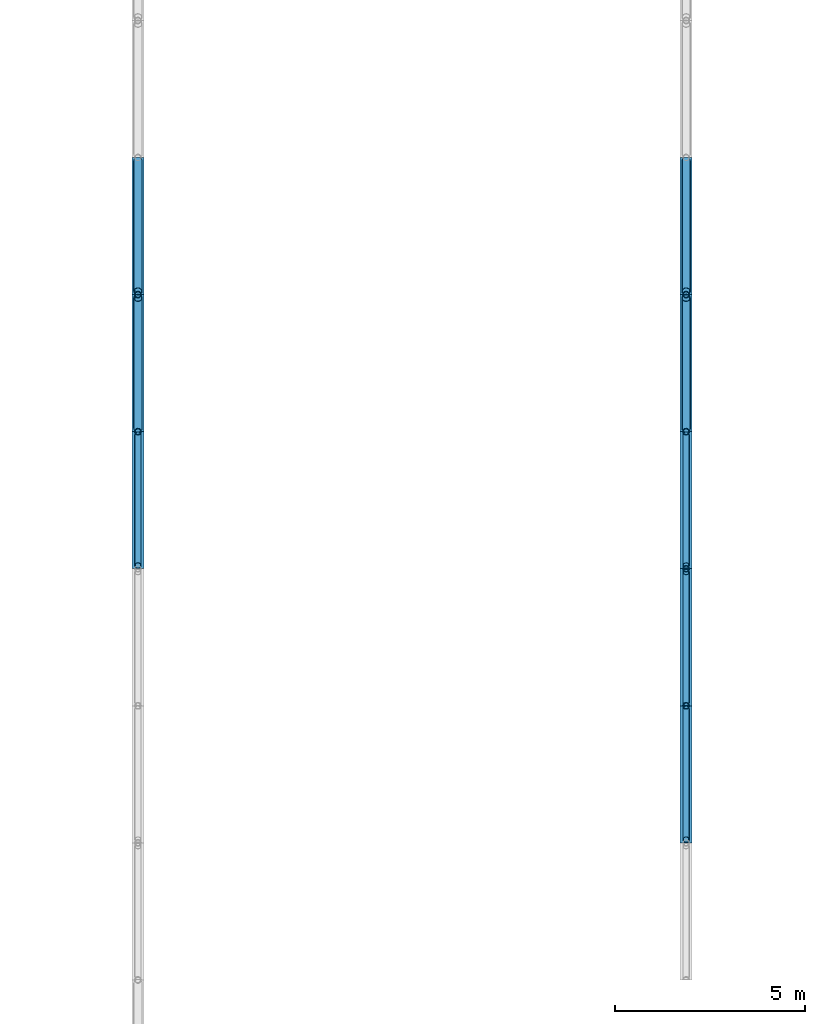
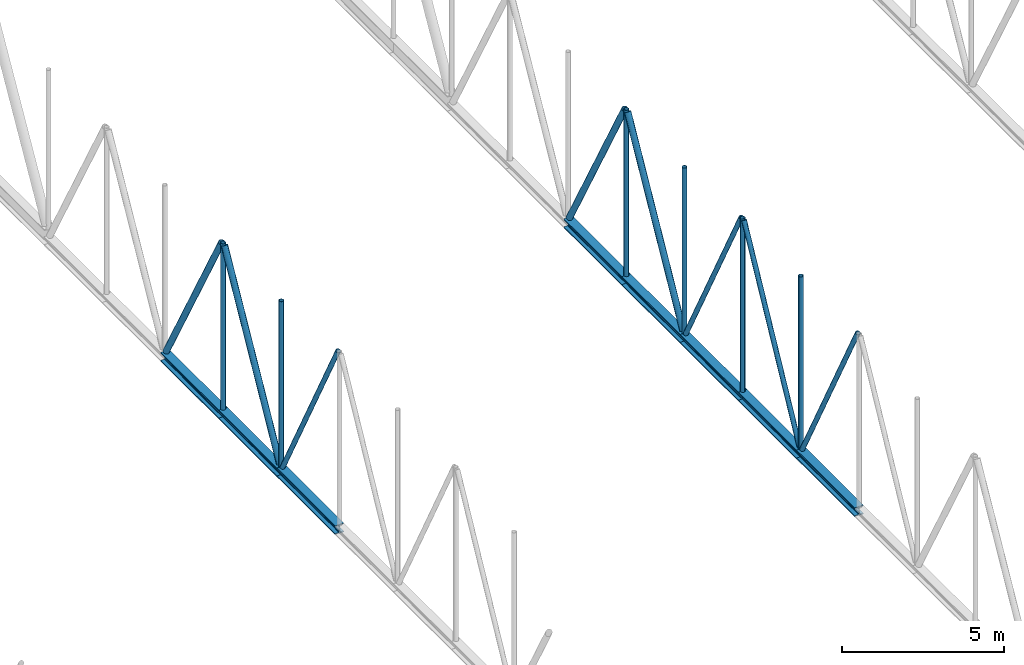
# One storey, part 61 of 142: 22 members.
"""IFC4 building model written with IfcOpenShell, lengths in metres."""

from ifc_helpers import new_model, si_unit, direction, frame, origin, origin_2d, place, context, subcontext, project, spatial, hollow_circle, i_section, extrude, material, material_profile, profile_set, type_object, element, save


model = new_model("IFC4")

# Units and contexts
model_context = context("Model", 3, precision=1e-05, world=origin(), true_north=direction((0.0, 1.0)))
body_context = subcontext(model_context, "Body", "Model", "MODEL_VIEW")
ifc_project = project(units=[si_unit("LENGTHUNIT", "METRE"), si_unit("AREAUNIT", "SQUARE_METRE"), si_unit("VOLUMEUNIT", "CUBIC_METRE"), si_unit("PLANEANGLEUNIT", "RADIAN"), si_unit("MASSUNIT", "GRAM", prefix="KILO")], contexts=[model_context])

# Site, building, storey
site_placement = place(None, origin())
site = spatial("IfcSite", under=ifc_project, at=site_placement, CompositionType="ELEMENT")
building_placement = place(site_placement, origin())
building = spatial("IfcBuilding", under=site, at=building_placement, Name="Kupolbacken Congress Centre", CompositionType="ELEMENT")
storey_placement = place(building_placement, frame((0.0, 0.0, 14.39990234375)))
storey = spatial("IfcBuildingStorey", under=building, at=storey_placement, Name="L04", CompositionType="ELEMENT", Elevation=14.39990234375)

# Members
ifc_material_1 = material(Name="Steel S355", Category="steel")
ifc_material_profile_1 = material_profile(ifc_material_1, i_section(OverallWidth=0.31005859375, OverallDepth=0.340087890625, WebThickness=0.02099609375, FlangeThickness=0.0390625, FilletRadius=0.027099609375, at=origin_2d()), Name="HEM 300")
ifc_profile_set_1 = profile_set([ifc_material_profile_1], Name="Steel S355")
member_type_1 = type_object("IfcMemberType", Name="M01 transfer truss chord HEM 300", PredefinedType="CHORD", material=ifc_profile_set_1)
member_1_placement = place(storey_placement, frame((151.199951171875, 82.800048828125, 0.16015625), z_axis=(0.0, 1.0, 0.0), x_axis=(-1.0, 0.0, 0.0)))
element("IfcMember", 1, at=member_1_placement, inside=storey, type_object=member_type_1, Name="HT/T5/BC12", PredefinedType="CHORD", context=body_context, shape_type="SweptSolid", body=[
    extrude(i_section(OverallWidth=0.31005859375, OverallDepth=0.340087890625, WebThickness=0.02099609375, FlangeThickness=0.0390625, FilletRadius=0.027099609375, at=origin_2d()), origin(), (0.0, 0.0, 1.0), 3.599853515625),
])
for number, where, z_axis, x_axis, name in (
    (2, (151.199951171875, 86.39990234375, 0.16015625), (0.0, 1.0, 0.0), (-1.0, 0.0, 0.0), "HT/T5/BC13"),
    (3, (151.199951171875, 90.0, 0.16015625), (0.0, 1.0, 0.0), (-1.0, 0.0, 0.0), "HT/T5/BC14"),
):
    element("IfcMember", number, at=place(storey_placement, frame(where, z_axis=z_axis, x_axis=x_axis)), inside=storey, type_object=member_type_1, Name=name, PredefinedType="CHORD", context=body_context, shape_type="SweptSolid", body=[
        extrude(i_section(OverallWidth=0.31005859375, OverallDepth=0.340087890625, WebThickness=0.02099609375, FlangeThickness=0.0390625, FilletRadius=0.027099609375, at=origin_2d()), origin(), (0.0, 0.0, 1.0), 3.60009765625),
    ])
member_2_placement = place(storey_placement, frame((165.60009765625, 75.60009765625, 0.16015625), z_axis=(0.0, 1.0, 0.0), x_axis=(-1.0, 0.0, 0.0)))
element("IfcMember", 4, at=member_2_placement, inside=storey, type_object=member_type_1, Name="HT/T6/BC10", PredefinedType="CHORD", context=body_context, shape_type="SweptSolid", body=[
    extrude(i_section(OverallWidth=0.31005859375, OverallDepth=0.340087890625, WebThickness=0.02099609375, FlangeThickness=0.0390625, FilletRadius=0.027099609375, at=origin_2d()), origin(), (0.0, 0.0, 1.0), 3.599853515625),
])
member_3_placement = place(storey_placement, frame((165.60009765625, 79.199951171875, 0.16015625), z_axis=(0.0, 1.0, 0.0), x_axis=(-1.0, 0.0, 0.0)))
element("IfcMember", 5, at=member_3_placement, inside=storey, type_object=member_type_1, Name="HT/T6/BC11", PredefinedType="CHORD", context=body_context, shape_type="SweptSolid", body=[
    extrude(i_section(OverallWidth=0.31005859375, OverallDepth=0.340087890625, WebThickness=0.02099609375, FlangeThickness=0.0390625, FilletRadius=0.027099609375, at=origin_2d()), origin(), (0.0, 0.0, 1.0), 3.60009765625),
])
member_4_placement = place(storey_placement, frame((165.60009765625, 82.800048828125, 0.16015625), z_axis=(0.0, 1.0, 0.0), x_axis=(-1.0, 0.0, 0.0)))
element("IfcMember", 6, at=member_4_placement, inside=storey, type_object=member_type_1, Name="HT/T6/BC12", PredefinedType="CHORD", context=body_context, shape_type="SweptSolid", body=[
    extrude(i_section(OverallWidth=0.31005859375, OverallDepth=0.340087890625, WebThickness=0.02099609375, FlangeThickness=0.0390625, FilletRadius=0.027099609375, at=origin_2d()), origin(), (0.0, 0.0, 1.0), 3.599853515625),
])
for number, where, z_axis, x_axis, name in (
    (7, (165.60009765625, 86.39990234375, 0.16015625), (0.0, 1.0, 0.0), (-1.0, 0.0, 0.0), "HT/T6/BC13"),
    (8, (165.60009765625, 90.0, 0.16015625), (0.0, 1.0, 0.0), (-1.0, 0.0, 0.0), "HT/T6/BC14"),
):
    element("IfcMember", number, at=place(storey_placement, frame(where, z_axis=z_axis, x_axis=x_axis)), inside=storey, type_object=member_type_1, Name=name, PredefinedType="CHORD", context=body_context, shape_type="SweptSolid", body=[
        extrude(i_section(OverallWidth=0.31005859375, OverallDepth=0.340087890625, WebThickness=0.02099609375, FlangeThickness=0.0390625, FilletRadius=0.027099609375, at=origin_2d()), origin(), (0.0, 0.0, 1.0), 3.60009765625),
    ])
ifc_material_2 = material(Name="Steel S355", Category="steel")
ifc_material_profile_2 = material_profile(ifc_material_2, hollow_circle(Radius=0.109619140625, WallThickness=0.010009765625, at=origin_2d()), Name="CHS 219.1 x 10")
ifc_profile_set_2 = profile_set([ifc_material_profile_2], Name="Steel S355")
member_type_2 = type_object("IfcMemberType", Name="M05 transfer truss web CHS 219.1 x 10", PredefinedType="BRACE", material=ifc_profile_set_2)
for number, where, z_axis, x_axis, name in (
    (9, (151.199951171875, 86.484130859375, 0.372802734375), (0.0, 0.48517101949, 0.874419282637), (-1.0, 0.0, 0.0), "HT/T5/D13"),
    (10, (151.199951171875, 90.084228515625, 6.5576171875), (0.0, 0.48517101949, -0.874419282637), (-1.0, 0.0, 0.0), "HT/T5/D14"),
    (11, (165.60009765625, 86.484130859375, 0.372802734375), (0.0, 0.48517101949, 0.874419282637), (-1.0, 0.0, 0.0), "HT/T6/D13"),
    (12, (165.60009765625, 90.084228515625, 6.5576171875), (0.0, 0.48517101949, -0.874419282637), (-1.0, 0.0, 0.0), "HT/T6/D14"),
):
    element("IfcMember", number, at=place(storey_placement, frame(where, z_axis=z_axis, x_axis=x_axis)), inside=storey, type_object=member_type_2, Name=name, PredefinedType="BRACE", context=body_context, shape_type="SweptSolid", body=[
        extrude(hollow_circle(Radius=0.109619140625, WallThickness=0.010009765625, at=origin_2d()), origin(), (0.0, 0.0, 1.0), 7.072998046875),
    ])
ifc_material_3 = material(Name="Steel S355", Category="steel")
ifc_material_profile_3 = material_profile(ifc_material_3, hollow_circle(Radius=0.084228515625, WallThickness=0.008056640625, at=origin_2d()), Name="CHS 168.3 x 8")
ifc_profile_set_3 = profile_set([ifc_material_profile_3], Name="Steel S355")
member_type_3 = type_object("IfcMemberType", Name="M06 transfer truss web CHS 168.3 x 8", PredefinedType="BRACE", material=ifc_profile_set_3)
for number, where, z_axis, x_axis, name in (
    (13, (151.199951171875, 82.884033203125, 6.8310546875), (0.0, 0.468481741227, -0.88347317907), (-1.0, 0.0, 0.0), "HT/T5/D12"),
    (14, (165.60009765625, 75.68408203125, 6.8310546875), (0.0, 0.468481741227, -0.88347317907), (-1.0, 0.0, 0.0), "HT/T6/D10"),
    (15, (165.60009765625, 79.2841796875, 0.359130859375), (0.0, 0.468455727838, 0.883486972771), (-1.0, 0.0, 0.0), "HT/T6/D11"),
    (16, (165.60009765625, 82.884033203125, 6.8310546875), (0.0, 0.468481741227, -0.88347317907), (-1.0, 0.0, 0.0), "HT/T6/D12"),
):
    element("IfcMember", number, at=place(storey_placement, frame(where, z_axis=z_axis, x_axis=x_axis)), inside=storey, type_object=member_type_3, Name=name, PredefinedType="BRACE", context=body_context, shape_type="SweptSolid", body=[
        extrude(hollow_circle(Radius=0.084228515625, WallThickness=0.008056640625, at=origin_2d()), origin(), (0.0, 0.0, 1.0), 7.325439453125),
    ])
ifc_material_4 = material(Name="Steel S355", Category="steel")
ifc_material_profile_4 = material_profile(ifc_material_4, hollow_circle(Radius=0.084228515625, WallThickness=0.008056640625, at=origin_2d()), Name="CHS 168.3 x 8")
ifc_profile_set_4 = profile_set([ifc_material_profile_4], Name="Steel S355")
member_type_4 = type_object("IfcMemberType", Name="M20 transfer truss post CHS 168.3 x 8", PredefinedType="STRUT", material=ifc_profile_set_4)
for number, where, z_axis, x_axis, name in (
    (17, (151.199951171875, 86.39990234375, 0.320068359375), (0.0, 0.0, 1.0), (0.0, 1.0, 0.0), "HT/T5/P12"),
    (18, (151.199951171875, 90.0, 0.320068359375), (0.0, 0.0, 1.0), (0.0, 1.0, 0.0), "HT/T5/P13"),
):
    element("IfcMember", number, at=place(storey_placement, frame(where, z_axis=z_axis, x_axis=x_axis)), inside=storey, type_object=member_type_4, Name=name, PredefinedType="STRUT", context=body_context, shape_type="SweptSolid", body=[
        extrude(hollow_circle(Radius=0.084228515625, WallThickness=0.008056640625, at=origin_2d()), origin(), (0.0, 0.0, 1.0), 6.2900390625),
    ])
for number, where, z_axis, x_axis, name in (
    (19, (165.60009765625, 79.199951171875, 0.320068359375), (0.0, 0.0, 1.0), (0.0, 1.0, 0.0), "HT/T6/P10"),
    (20, (165.60009765625, 82.800048828125, 0.320068359375), (0.0, 0.0, 1.0), (0.0, 1.0, 0.0), "HT/T6/P11"),
):
    element("IfcMember", number, at=place(storey_placement, frame(where, z_axis=z_axis, x_axis=x_axis)), inside=storey, type_object=member_type_4, Name=name, PredefinedType="STRUT", context=body_context, shape_type="SweptSolid", body=[
        extrude(hollow_circle(Radius=0.084228515625, WallThickness=0.008056640625, at=origin_2d()), origin(), (0.0, 0.0, 1.0), 6.550048828125),
    ])
for number, where, z_axis, x_axis, name in (
    (21, (165.60009765625, 86.39990234375, 0.320068359375), (0.0, 0.0, 1.0), (0.0, 1.0, 0.0), "HT/T6/P12"),
    (22, (165.60009765625, 90.0, 0.320068359375), (0.0, 0.0, 1.0), (0.0, 1.0, 0.0), "HT/T6/P13"),
):
    element("IfcMember", number, at=place(storey_placement, frame(where, z_axis=z_axis, x_axis=x_axis)), inside=storey, type_object=member_type_4, Name=name, PredefinedType="STRUT", context=body_context, shape_type="SweptSolid", body=[
        extrude(hollow_circle(Radius=0.084228515625, WallThickness=0.008056640625, at=origin_2d()), origin(), (0.0, 0.0, 1.0), 6.2900390625),
    ])

save(model, "model.ifc")
